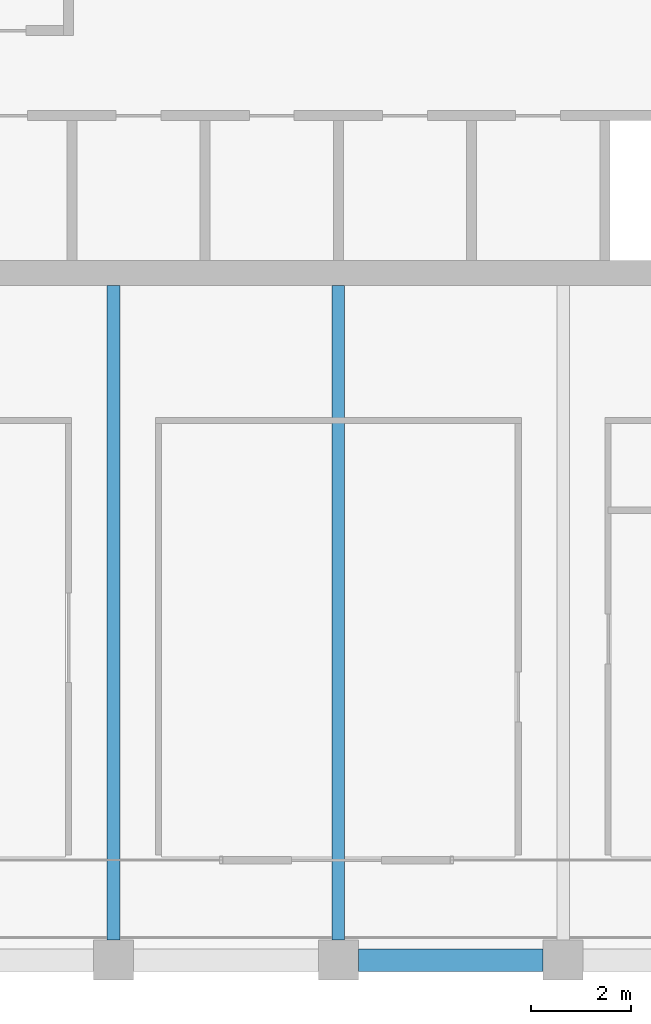
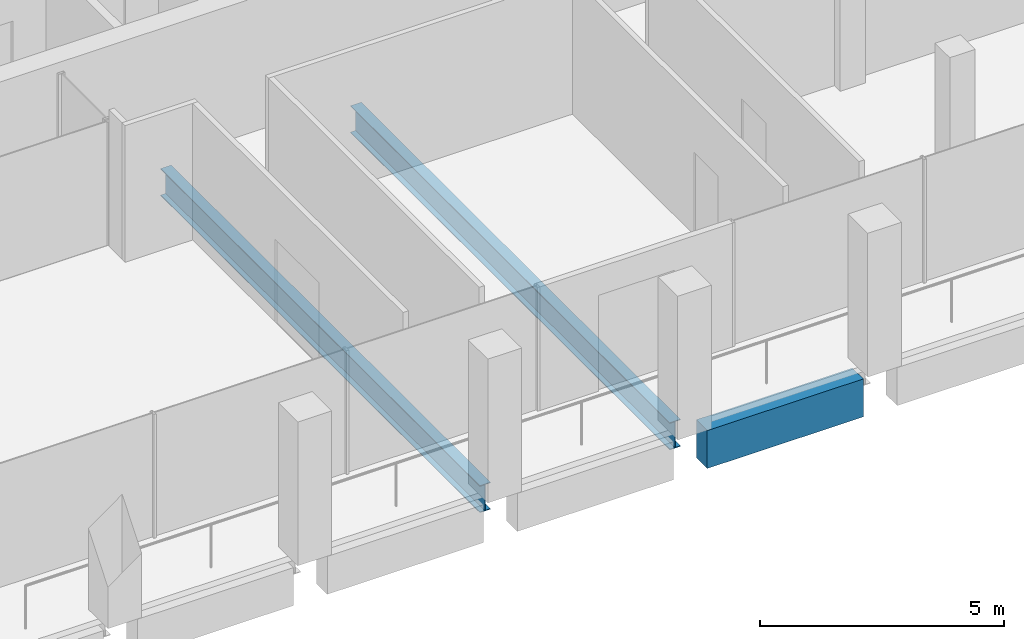
# One storey, part 8 of 30: 3 beams.
"""IFC4 building model written with IfcOpenShell, lengths in metres."""

import ifcopenshell
import ifcopenshell.guid

model = None  # the IFC model being written
_history = None  # IfcOwnerHistory: only IFC2X3 demands one
_inside = {}  # id of a spatial element -> (the spatial element, [elements in it])
_under = {}  # id of a project, library or spatial element -> (it, [spatial elements below it])
_declared = {}  # id of a project -> (the project, [libraries it declares])
_typed = {}  # id of a type object -> (the type object, [elements of that type])
_made_of = {}  # id of a material, layer set ... -> (it, [elements and type objects made of it])


def new_model(schema):
    """Start an empty IFC model of exactly this schema.

    Asked for "IFC4X3", IfcOpenShell would pick the latest addendum, in which some entities
    have other attributes; the version numbers below select the first issue.
    IFC2X3 requires an IfcOwnerHistory on every rooted entity: one is made here for all.
    """
    global model, _history
    if schema == "IFC4X3":
        model = ifcopenshell.file(schema_version=(4, 3, 0, 0))
    else:
        model = ifcopenshell.file(schema=schema)
    _inside.clear()
    _under.clear()
    _declared.clear()
    _typed.clear()
    _made_of.clear()
    _history = None
    if model.schema == "IFC2X3":
        org = make("IfcOrganization", Name="unknown")
        user = make(
            "IfcPersonAndOrganization",
            ThePerson=make("IfcPerson", FamilyName="unknown"),
            TheOrganization=org,
        )
        app = make(
            "IfcApplication",
            ApplicationDeveloper=org,
            Version="unknown",
            ApplicationFullName="unknown",
            ApplicationIdentifier="unknown",
        )
        _history = make(
            "IfcOwnerHistory",
            OwningUser=user,
            OwningApplication=app,
            ChangeAction="ADDED",
            CreationDate=0,
        )
    return model


def make(cls, **values):
    """One entity of the class cls with the attributes given. An attribute that is None is left unset."""
    return model.create_entity(
        cls, **{name: value for name, value in values.items() if value is not None}
    )


def rooted(cls, **values):
    """An entity with a GlobalId (a new one), such as an element, a storey or a relation."""
    return make(cls, GlobalId=ifcopenshell.guid.new(), OwnerHistory=_history, **values)


def si_unit(unit_type, name, prefix=None):
    """IfcSIUnit, for example si_unit("LENGTHUNIT", "METRE", prefix="MILLI")."""
    return make("IfcSIUnit", UnitType=unit_type, Prefix=prefix, Name=name)


def assignment(units):
    """IfcUnitAssignment: the units of a project."""
    return None if units is None else make("IfcUnitAssignment", Units=units)


def point(xyz):
    """IfcCartesianPoint."""
    return None if xyz is None else make("IfcCartesianPoint", Coordinates=xyz)


def direction(xyz):
    """IfcDirection."""
    return None if xyz is None else make("IfcDirection", DirectionRatios=xyz)


def frame(location, z_axis=None, x_axis=None):
    """IfcAxis2Placement3D, a coordinate frame: its origin and axes. An axis left out is left unset."""
    return make(
        "IfcAxis2Placement3D",
        Location=point(location),
        Axis=direction(z_axis),
        RefDirection=direction(x_axis),
    )


def frame_2d(location, x_axis=None):
    """IfcAxis2Placement2D, a coordinate frame in the plane: its origin and x axis."""
    return make(
        "IfcAxis2Placement2D", Location=point(location), RefDirection=direction(x_axis)
    )


def origin():
    """The frame at (0, 0, 0) with its axes left unset."""
    return frame((0.0, 0.0, 0.0))


def origin_2d():
    """The frame at (0, 0) in the plane with its x axis left unset."""
    return frame_2d((0.0, 0.0))


def place(relative_to, where):
    """IfcLocalPlacement: puts the frame where relative to a parent placement (None: the world)."""
    return make(
        "IfcLocalPlacement", PlacementRelTo=relative_to, RelativePlacement=where
    )


def context(
    kind, dimensions, precision=None, world=None, true_north=None, identifier=None
):
    """IfcGeometricRepresentationContext, for example the 3D "Model" context."""
    return make(
        "IfcGeometricRepresentationContext",
        ContextIdentifier=identifier,
        ContextType=kind,
        CoordinateSpaceDimension=dimensions,
        Precision=precision,
        WorldCoordinateSystem=world,
        TrueNorth=true_north,
    )


def subcontext(parent, identifier, kind, view, scale=None):
    """IfcGeometricRepresentationSubContext, for example "Body" below "Model"."""
    return make(
        "IfcGeometricRepresentationSubContext",
        ContextIdentifier=identifier,
        ContextType=kind,
        ParentContext=parent,
        TargetScale=scale,
        TargetView=view,
    )


def project(units=None, contexts=None):
    """IfcProject with its units and contexts."""
    return rooted(
        "IfcProject",
        Name="project",
        RepresentationContexts=contexts,
        UnitsInContext=assignment(units),
    )


def spatial(cls, under=None, at=None, **own):
    """A site, building, storey or space (cls), placed at a placement, below another one or the project."""
    s = rooted(cls, ObjectPlacement=at, **own)
    if under is not None:
        _under.setdefault(under.id(), (under, []))[1].append(s)
    return s


def profile(cls, at=None, kind="AREA", **sizes):
    """A parametric profile (cls). Its sizes go by their IFC names, for example OverallWidth=200.0."""
    return make(cls, ProfileType=kind, Position=at, **sizes)


def rectangle(**sizes):
    """IfcRectangleProfileDef."""
    return profile("IfcRectangleProfileDef", **sizes)


def i_section(**sizes):
    """IfcIShapeProfileDef."""
    return profile("IfcIShapeProfileDef", **sizes)


def extrude(swept, where, along, depth):
    """IfcExtrudedAreaSolid: the profile swept, set in the frame where, extruded along a direction by depth."""
    return make(
        "IfcExtrudedAreaSolid",
        SweptArea=swept,
        Position=where,
        ExtrudedDirection=direction(along),
        Depth=depth,
    )


def shape(context_of_items, identifier, shape_type, items):
    """IfcShapeRepresentation: the items that make up one representation, for example the "Body"."""
    return make(
        "IfcShapeRepresentation",
        ContextOfItems=context_of_items,
        RepresentationIdentifier=identifier,
        RepresentationType=shape_type,
        Items=items,
    )


def material(Name=None, Category=None):
    """IfcMaterial."""
    return make("IfcMaterial", Name=Name, Category=Category)


def material_profile(
    of_material, cross_section, Name=None, Category=None, Priority=None
):
    """IfcMaterialProfile: a cross section and its material."""
    return make(
        "IfcMaterialProfile",
        Name=Name,
        Material=of_material,
        Profile=cross_section,
        Priority=Priority,
        Category=Category,
    )


def profile_set(profiles, Name=None, composite=None):
    """IfcMaterialProfileSet."""
    return make(
        "IfcMaterialProfileSet",
        Name=Name,
        MaterialProfiles=profiles,
        CompositeProfile=composite,
    )


def made_of(thing, what):
    """Note that an element or type object is made of a material, layer set ...; save() writes the relation."""
    if what is not None:
        _made_of.setdefault(what.id(), (what, []))[1].append(thing)
    return thing


def type_object(cls, material=None, **own):
    """A type object (cls), such as IfcWallType, which elements share."""
    return made_of(rooted(cls, **own), material)


def element(
    cls,
    number,
    at=None,
    inside=None,
    cuts=None,
    type_object=None,
    material=None,
    context=None,
    identifier="Body",
    shape_type=None,
    held_by="IfcProductDefinitionShape",
    body=None,
    shapes=None,
    **own,
):
    """One element of the class cls, such as IfcWall. Its Tag is "e" and its number.

    at: its placement. inside: the storey or other place that contains it. cuts: it is an
    opening in that element (IfcRelVoidsElement). A single representation is given by context,
    identifier, shape_type and body (its items); several are given by shapes. held_by: the class
    of the entity that holds the representations. save() writes the other relations.
    """
    e = rooted(cls, Tag="e%d" % number, ObjectPlacement=at, **own)
    if body is not None:
        shapes = [shape(context, identifier, shape_type, body)]
    if shapes is not None:
        e.Representation = make(held_by, Representations=shapes)
    if inside is not None:
        _inside.setdefault(inside.id(), (inside, []))[1].append(e)
    if cuts is not None:
        rooted(
            "IfcRelVoidsElement", RelatingBuildingElement=cuts, RelatedOpeningElement=e
        )
    if type_object is not None:
        _typed.setdefault(type_object.id(), (type_object, []))[1].append(e)
    return made_of(e, material)


def aggregate(whole, parts):
    """IfcRelAggregates: a whole, such as a stair, and the parts it consists of."""
    return rooted("IfcRelAggregates", RelatingObject=whole, RelatedObjects=parts)


def save(model, path):
    """Write the relations noted so far, then the file.

    IfcRelAggregates (storeys below a building ...), IfcRelContainedInSpatialStructure (elements
    in a storey), IfcRelDefinesByType, IfcRelAssociatesMaterial and IfcRelDeclares: one each for
    every whole, place, type object, material and project.
    """
    for whole, parts in _under.values():
        aggregate(whole, parts)
    for where, things in _inside.values():
        rooted(
            "IfcRelContainedInSpatialStructure",
            RelatedElements=things,
            RelatingStructure=where,
        )
    for kind, things in _typed.values():
        rooted("IfcRelDefinesByType", RelatedObjects=things, RelatingType=kind)
    for what, things in _made_of.values():
        rooted("IfcRelAssociatesMaterial", RelatedObjects=things, RelatingMaterial=what)
    for by, libraries in _declared.values():
        rooted("IfcRelDeclares", RelatingContext=by, RelatedDefinitions=libraries)
    model.write(path)


model = new_model("IFC4")

# Units and contexts
model_context = context("Model", 3, precision=1e-05, world=origin(), true_north=direction((0.0, 1.0)))
body_context = subcontext(model_context, "Body", "Model", "MODEL_VIEW")
ifc_project = project(units=[si_unit("LENGTHUNIT", "METRE"), si_unit("AREAUNIT", "SQUARE_METRE"), si_unit("VOLUMEUNIT", "CUBIC_METRE"), si_unit("PLANEANGLEUNIT", "RADIAN"), si_unit("MASSUNIT", "GRAM", prefix="KILO")], contexts=[model_context])

# Site, building, storey
site_placement = place(None, origin())
site = spatial("IfcSite", under=ifc_project, at=site_placement, CompositionType="ELEMENT")
building_placement = place(site_placement, origin())
building = spatial("IfcBuilding", under=site, at=building_placement, Name="Altepetl Exchange Towers", CompositionType="ELEMENT")
storey_placement = place(building_placement, frame((0.0, 0.0, 213.60009765625)))
storey = spatial("IfcBuildingStorey", under=building, at=storey_placement, Name="L54", CompositionType="ELEMENT", Elevation=213.60009765625)

# Beams
ifc_material_1 = material(Name="Steel S355", Category="steel")
ifc_material_profile_1 = material_profile(ifc_material_1, i_section(OverallWidth=0.2529296875, OverallDepth=0.677978515625, WebThickness=0.01171875, FlangeThickness=0.016357421875, at=origin_2d()), Name="W27X84")
ifc_profile_set_1 = profile_set([ifc_material_profile_1], Name="Steel S355")
beam_type_1 = type_object("IfcBeamType", Name="Floor beam W27X84", PredefinedType="BEAM", material=ifc_profile_set_1)
for number, where, z_axis, x_axis, name in (
    (1, (45.0, 27.39990234375, -0.489013671875), (0.0, 1.0, 0.0), (-1.0, 0.0, 0.0), "bm:A:L54:015"),
    (2, (49.5, 27.39990234375, -0.489013671875), (0.0, 1.0, 0.0), (-1.0, 0.0, 0.0), "bm:A:L54:016"),
):
    element("IfcBeam", number, at=place(storey_placement, frame(where, z_axis=z_axis, x_axis=x_axis)), inside=storey, type_object=beam_type_1, Name=name, PredefinedType="BEAM", context=body_context, shape_type="SweptSolid", body=[
        extrude(i_section(OverallWidth=0.2529296875, OverallDepth=0.677978515625, WebThickness=0.01171875, FlangeThickness=0.016357421875, at=origin_2d()), origin(), (0.0, 0.0, 1.0), 13.10009765625),
    ])
ifc_material_2 = material(Name="Concrete C50/60 precast with cantera blanca facing", Category="concrete")
ifc_material_profile_2 = material_profile(ifc_material_2, rectangle(XDim=0.449951171875, YDim=0.949951171875, at=origin_2d()), Name="450 x 950")
ifc_profile_set_2 = profile_set([ifc_material_profile_2], Name="Concrete C50/60 precast with cantera blanca facing")
beam_type_2 = type_object("IfcBeamType", Name="Spandrel beam 450x950 cantera blanca", PredefinedType="SPANDREL", material=ifc_profile_set_2)
beam_placement = place(storey_placement, frame((49.89990234375, 27.0, -0.625), z_axis=(1.0, 0.0, 0.0), x_axis=(0.0, 1.0, 0.0)))
element("IfcBeam", 3, at=beam_placement, inside=storey, type_object=beam_type_2, Name="sp:A:L54:004", PredefinedType="SPANDREL", context=body_context, shape_type="SweptSolid", body=[
    extrude(rectangle(XDim=0.449951171875, YDim=0.949951171875, at=origin_2d()), origin(), (0.0, 0.0, 1.0), 3.7001953125),
])

save(model, "model.ifc")
